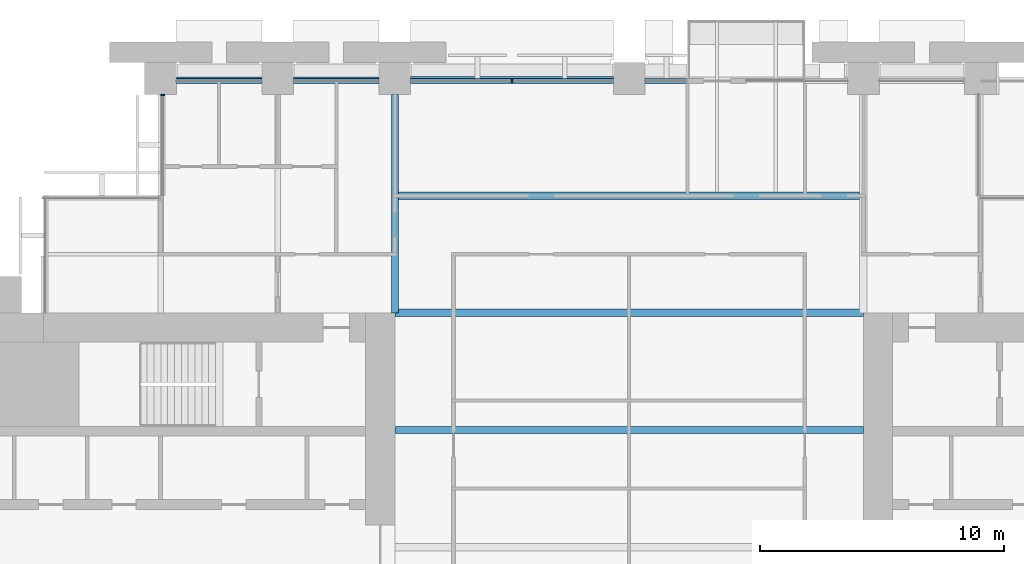
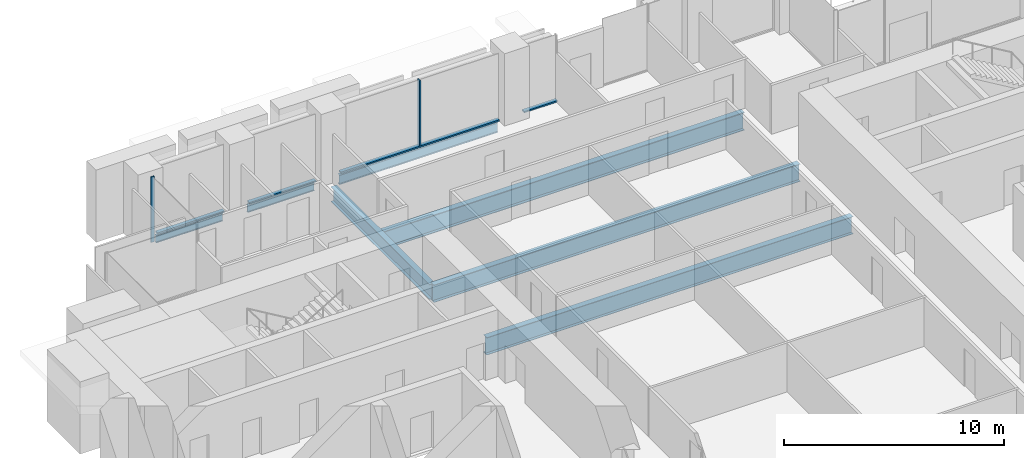
# One storey, part 6 of 15: 7 beams, 6 members, 2 elements without a shape of their own.
"""IFC4 building model written with IfcOpenShell, lengths in metres."""

from ifc_helpers import new_model, si_unit, direction, frame, origin, origin_2d, place, context, subcontext, project, spatial, rectangle, i_section, extrude, material, material_profile, profile_set, type_object, element, aggregate, save


model = new_model("IFC4")

# Units and contexts
model_context = context("Model", 3, precision=1e-05, world=origin(), true_north=direction((0.0, 1.0)))
body_context = subcontext(model_context, "Body", "Model", "MODEL_VIEW")
ifc_project = project(units=[si_unit("LENGTHUNIT", "METRE"), si_unit("AREAUNIT", "SQUARE_METRE"), si_unit("VOLUMEUNIT", "CUBIC_METRE"), si_unit("PLANEANGLEUNIT", "RADIAN"), si_unit("MASSUNIT", "GRAM", prefix="KILO")], contexts=[model_context])

# Site, building, storey
site_placement = place(None, origin())
site = spatial("IfcSite", under=ifc_project, at=site_placement, CompositionType="ELEMENT")
building_placement = place(site_placement, origin())
building = spatial("IfcBuilding", under=site, at=building_placement, Name="Baori Bourse Tower", CompositionType="ELEMENT")
storey_placement = place(building_placement, frame((0.0, 0.0, 83.0)))
storey = spatial("IfcBuildingStorey", under=building, at=storey_placement, Name="L18", CompositionType="ELEMENT", Elevation=83.0)

# Curtain wall, members
ifc_material_1 = material(Name="Pale anodised aluminium", Category="aluminium")
curtain_wall_type_1 = type_object("IfcCurtainWallType", Name="CW1 Curtain wall", PredefinedType="NOTDEFINED", material=ifc_material_1)
curtain_wall_1_placement = place(storey_placement, origin())
curtain_wall_1 = element("IfcCurtainWall", 1, at=curtain_wall_1_placement, inside=storey, type_object=curtain_wall_type_1, Name="Curtain wall CW1 L18 7", PredefinedType="NOTDEFINED")
ifc_material_2 = material(Name="Pale anodised aluminium", Category="aluminium")
ifc_material_profile_1 = material_profile(ifc_material_2, rectangle(XDim=0.199951171875, YDim=0.06005859375, at=origin_2d()), Name="Mullion 60x200")
ifc_profile_set_1 = profile_set([ifc_material_profile_1], Name="Pale anodised aluminium")
member_type_1 = type_object("IfcMemberType", Name="CW1 Curtain wall mullion", PredefinedType="MULLION", material=ifc_profile_set_1)
member_1_placement = place(storey_placement, frame((24.0, 47.89990234375, 0.080078125), z_axis=(0.0, 0.0, 1.0), x_axis=(0.0, -1.0, 0.0)))
member_1 = element("IfcMember", 2, at=member_1_placement, type_object=member_type_1, Name="Curtain wall CW1 mullion", PredefinedType="MULLION", context=body_context, shape_type="SweptSolid", body=[
    extrude(rectangle(XDim=0.199951171875, YDim=0.06005859375, at=origin_2d()), origin(), (0.0, 0.0, 1.0), 3.619873046875),
])
ifc_material_3 = material(Name="Pale anodised aluminium", Category="aluminium")
ifc_material_profile_2 = material_profile(ifc_material_3, rectangle(XDim=0.199951171875, YDim=0.080078125, at=origin_2d()), Name="Transom 80x200")
ifc_profile_set_2 = profile_set([ifc_material_profile_2], Name="Pale anodised aluminium")
member_type_2 = type_object("IfcMemberType", Name="CW1 Curtain wall transom", PredefinedType="USERDEFINED", material=ifc_profile_set_2)
member_2_placement = place(storey_placement, frame((31.199951171875, 47.89990234375, 0.0400390625), z_axis=(-1.0, 0.0, 0.0), x_axis=(0.0, -1.0, 0.0)))
member_2 = element("IfcMember", 3, at=member_2_placement, type_object=member_type_2, Name="Curtain wall CW1 sill rail", ObjectType="TRANSOM", PredefinedType="USERDEFINED", context=body_context, shape_type="SweptSolid", body=[
    extrude(rectangle(XDim=0.199951171875, YDim=0.080078125, at=origin_2d()), origin(), (0.0, 0.0, 1.0), 1.75),
])
member_3_placement = place(storey_placement, frame((28.14990234375, 47.89990234375, 0.0400390625), z_axis=(-1.0, 0.0, 0.0), x_axis=(0.0, -1.0, 0.0)))
member_3 = element("IfcMember", 4, at=member_3_placement, type_object=member_type_2, Name="Curtain wall CW1 sill rail", ObjectType="TRANSOM", PredefinedType="USERDEFINED", context=body_context, shape_type="SweptSolid", body=[
    extrude(rectangle(XDim=0.199951171875, YDim=0.080078125, at=origin_2d()), origin(), (0.0, 0.0, 1.0), 8.2998046875),
])
member_4_placement = place(storey_placement, frame((18.550048828125, 47.89990234375, 0.0400390625), z_axis=(-1.0, 0.0, 0.0), x_axis=(0.0, -1.0, 0.0)))
member_4 = element("IfcMember", 5, at=member_4_placement, type_object=member_type_2, Name="Curtain wall CW1 sill rail", ObjectType="TRANSOM", PredefinedType="USERDEFINED", context=body_context, shape_type="SweptSolid", body=[
    extrude(rectangle(XDim=0.199951171875, YDim=0.080078125, at=origin_2d()), origin(), (0.0, 0.0, 1.0), 3.5),
])
member_5_placement = place(storey_placement, frame((13.75, 47.89990234375, 0.0400390625), z_axis=(-1.0, 0.0, 0.0), x_axis=(0.0, -1.0, 0.0)))
member_5 = element("IfcMember", 6, at=member_5_placement, type_object=member_type_2, Name="Curtain wall CW1 sill rail", ObjectType="TRANSOM", PredefinedType="USERDEFINED", context=body_context, shape_type="SweptSolid", body=[
    extrude(rectangle(XDim=0.199951171875, YDim=0.080078125, at=origin_2d()), origin(), (0.0, 0.0, 1.0), 3.5),
])
aggregate(curtain_wall_1, [member_2, member_3, member_1, member_4, member_5])

# Curtain wall, member
ifc_material_4 = material(Name="Pale anodised aluminium", Category="aluminium")
curtain_wall_type_2 = type_object("IfcCurtainWallType", Name="CW2 Curtain wall", PredefinedType="NOTDEFINED", material=ifc_material_4)
curtain_wall_2_placement = place(storey_placement, origin())
curtain_wall_2 = element("IfcCurtainWall", 7, at=curtain_wall_2_placement, inside=storey, type_object=curtain_wall_type_2, Name="Curtain wall CW2 L18 8", PredefinedType="NOTDEFINED")
ifc_material_5 = material(Name="Pale anodised aluminium", Category="aluminium")
ifc_material_profile_3 = material_profile(ifc_material_5, rectangle(XDim=0.179931640625, YDim=0.054931640625, at=origin_2d()), Name="Mullion 55x180")
ifc_profile_set_3 = profile_set([ifc_material_profile_3], Name="Pale anodised aluminium")
member_type_3 = type_object("IfcMemberType", Name="CW2 Curtain wall mullion", PredefinedType="MULLION", material=ifc_profile_set_3)
member_6_placement = place(storey_placement, frame((9.68994140625, 47.322509765625, 0.070068359375), z_axis=(0.0, 0.0, 1.0), x_axis=(1.0, 0.0, 0.0)))
member_6 = element("IfcMember", 8, at=member_6_placement, type_object=member_type_3, Name="Curtain wall CW2 mullion", PredefinedType="MULLION", context=body_context, shape_type="SweptSolid", body=[
    extrude(rectangle(XDim=0.179931640625, YDim=0.054931640625, at=origin_2d()), origin(), (0.0, 0.0, 1.0), 3.6298828125),
])
aggregate(curtain_wall_2, [member_6])

# Beams
ifc_material_6 = material(Name="Steel A992 Gr 50", Category="steel")
ifc_material_profile_4 = material_profile(ifc_material_6, i_section(OverallWidth=0.140380859375, OverallDepth=0.40380859375, WebThickness=0.007080078125, FlangeThickness=0.01123046875, at=origin_2d()), Name="W16x31")
ifc_profile_set_4 = profile_set([ifc_material_profile_4], Name="Steel A992 Gr 50")
beam_type_1 = type_object("IfcBeamType", Name="Edge beam W16x31", PredefinedType="BEAM", material=ifc_profile_set_4)
for number, where, z_axis, x_axis, name in (
    (9, (10.25, 48.0, -0.36181640625), (1.0, 0.0, 0.0), (0.0, 1.0, 0.0), "Edge beam L18"),
    (10, (15.050048828125, 48.0, -0.36181640625), (1.0, 0.0, 0.0), (0.0, 1.0, 0.0), "Edge beam L18"),
):
    element("IfcBeam", number, at=place(storey_placement, frame(where, z_axis=z_axis, x_axis=x_axis)), inside=storey, type_object=beam_type_1, Name=name, PredefinedType="BEAM", context=body_context, shape_type="SweptSolid", body=[
        extrude(i_section(OverallWidth=0.140380859375, OverallDepth=0.40380859375, WebThickness=0.007080078125, FlangeThickness=0.01123046875, at=origin_2d()), origin(), (0.0, 0.0, 1.0), 3.5),
    ])
ifc_material_7 = material(Name="Steel A992 Gr 50", Category="steel")
ifc_material_profile_5 = material_profile(ifc_material_7, i_section(OverallWidth=0.1650390625, OverallDepth=0.52587890625, WebThickness=0.0087890625, FlangeThickness=0.011474609375, at=origin_2d()), Name="W21x44")
ifc_profile_set_5 = profile_set([ifc_material_profile_5], Name="Steel A992 Gr 50")
beam_type_2 = type_object("IfcBeamType", Name="Edge beam W21x44", PredefinedType="BEAM", material=ifc_profile_set_5)
beam_1_placement = place(storey_placement, frame((19.85009765625, 48.0, -0.4228515625), z_axis=(1.0, 0.0, 0.0), x_axis=(0.0, 1.0, 0.0)))
element("IfcBeam", 11, at=beam_1_placement, inside=storey, type_object=beam_type_2, Name="Edge beam L18", PredefinedType="BEAM", context=body_context, shape_type="SweptSolid", body=[
    extrude(i_section(OverallWidth=0.1650390625, OverallDepth=0.52587890625, WebThickness=0.0087890625, FlangeThickness=0.011474609375, at=origin_2d()), origin(), (0.0, 0.0, 1.0), 8.2998046875),
])
ifc_material_8 = material(Name="Steel A992 Gr 50", Category="steel")
ifc_material_profile_6 = material_profile(ifc_material_8, i_section(OverallWidth=0.2998046875, OverallDepth=0.97021484375, WebThickness=0.01611328125, FlangeThickness=0.02099609375, at=origin_2d()), Name="W40x149")
ifc_profile_set_6 = profile_set([ifc_material_profile_6], Name="Steel A992 Gr 50")
beam_type_3 = type_object("IfcBeamType", Name="Floor beam W40x149", PredefinedType="BEAM", material=ifc_profile_set_6)
for number, where, z_axis, x_axis, name in (
    (12, (19.199951171875, 33.60009765625, -0.64501953125), (1.0, 0.0, 0.0), (0.0, 1.0, 0.0), "Floor beam L18"),
    (13, (19.199951171875, 38.39990234375, -0.64501953125), (1.0, 0.0, 0.0), (0.0, 1.0, 0.0), "Floor beam L18"),
):
    element("IfcBeam", number, at=place(storey_placement, frame(where, z_axis=z_axis, x_axis=x_axis)), inside=storey, type_object=beam_type_3, Name=name, PredefinedType="BEAM", context=body_context, shape_type="SweptSolid", body=[
        extrude(i_section(OverallWidth=0.2998046875, OverallDepth=0.97021484375, WebThickness=0.01611328125, FlangeThickness=0.02099609375, at=origin_2d()), origin(), (0.0, 0.0, 1.0), 19.199951171875),
    ])
ifc_material_9 = material(Name="Steel A992 Gr 50", Category="steel")
ifc_material_profile_7 = material_profile(ifc_material_9, i_section(OverallWidth=0.2998046875, OverallDepth=0.990478515625, WebThickness=0.0166015625, FlangeThickness=0.030517578125, at=origin_2d()), Name="W40x183")
ifc_profile_set_7 = profile_set([ifc_material_profile_7], Name="Steel A992 Gr 50")
beam_type_4 = type_object("IfcBeamType", Name="Floor beam W40x183", PredefinedType="BEAM", material=ifc_profile_set_7)
beam_2_placement = place(storey_placement, frame((19.345947265625, 43.199951171875, -0.6552734375), z_axis=(1.0, 0.0, 0.0), x_axis=(0.0, 1.0, 0.0)))
element("IfcBeam", 14, at=beam_2_placement, inside=storey, type_object=beam_type_4, Name="Floor beam L18", PredefinedType="BEAM", context=body_context, shape_type="SweptSolid", body=[
    extrude(i_section(OverallWidth=0.2998046875, OverallDepth=0.990478515625, WebThickness=0.0166015625, FlangeThickness=0.030517578125, at=origin_2d()), origin(), (0.0, 0.0, 1.0), 18.901611328125),
])
ifc_material_10 = material(Name="Steel A992 Gr 50", Category="steel")
ifc_material_profile_8 = material_profile(ifc_material_10, i_section(OverallWidth=0.2919921875, OverallDepth=0.835693359375, WebThickness=0.013916015625, FlangeThickness=0.018798828125, at=origin_2d()), Name="W33x118")
ifc_profile_set_8 = profile_set([ifc_material_profile_8], Name="Steel A992 Gr 50")
beam_type_5 = type_object("IfcBeamType", Name="Girder W33x118", PredefinedType="BEAM", material=ifc_profile_set_8)
beam_3_placement = place(storey_placement, frame((19.199951171875, 38.39990234375, -0.577880859375), z_axis=(0.0, 1.0, 0.0), x_axis=(-1.0, 0.0, 0.0)))
element("IfcBeam", 15, at=beam_3_placement, inside=storey, type_object=beam_type_5, Name="Girder L18", PredefinedType="BEAM", context=body_context, shape_type="SweptSolid", body=[
    extrude(i_section(OverallWidth=0.2919921875, OverallDepth=0.835693359375, WebThickness=0.013916015625, FlangeThickness=0.018798828125, at=origin_2d()), origin(), (0.0, 0.0, 1.0), 8.9501953125),
])

save(model, "model.ifc")
